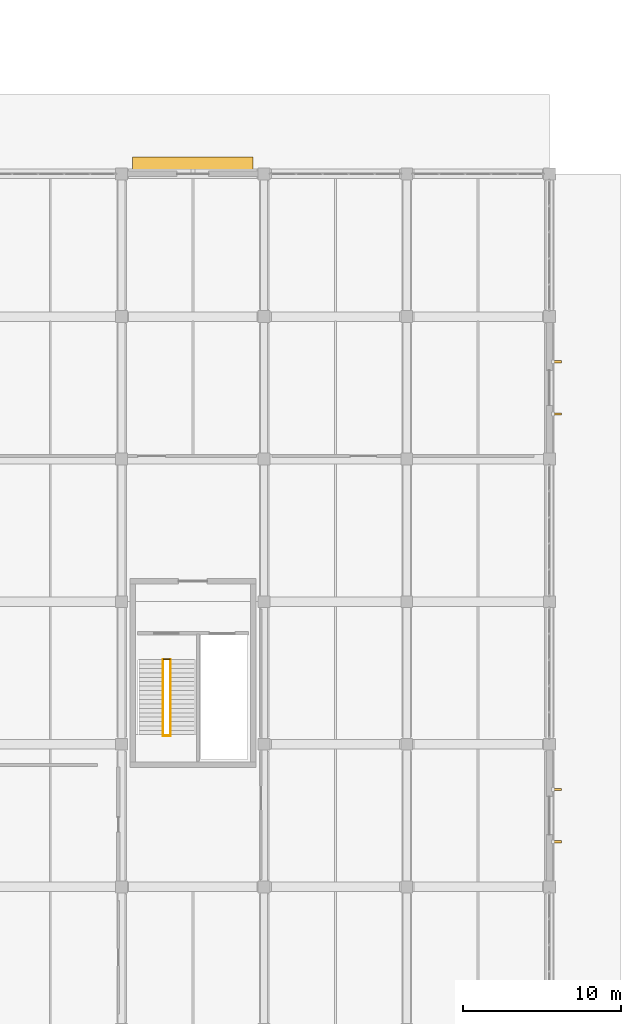
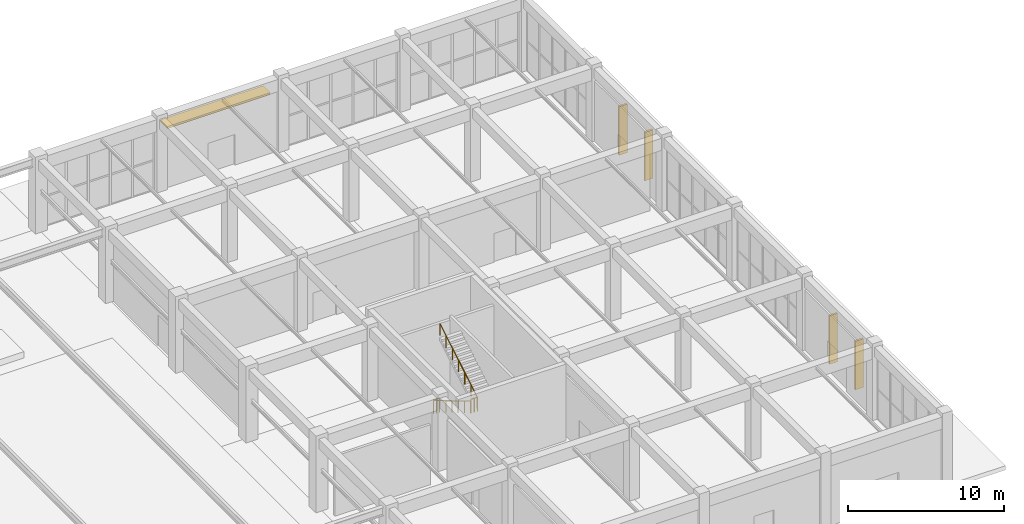
# One storey, part 86 of 91: 5 shading devices, 4 railings.
"""IFC4 building model written with IfcOpenShell, lengths in metres."""

from ifc_helpers import new_model, si_unit, direction, frame, origin, origin_2d, place, context, subcontext, project, spatial, rectangle, circle, extrude, material, layer, layer_set, type_object, element, save


model = new_model("IFC4")

# Units and contexts
model_context = context("Model", 3, precision=1e-05, world=origin(), true_north=direction((0.0, 1.0)))
body_context = subcontext(model_context, "Body", "Model", "MODEL_VIEW")
ifc_project = project(units=[si_unit("LENGTHUNIT", "METRE"), si_unit("AREAUNIT", "SQUARE_METRE"), si_unit("VOLUMEUNIT", "CUBIC_METRE"), si_unit("PLANEANGLEUNIT", "RADIAN"), si_unit("MASSUNIT", "GRAM", prefix="KILO")], contexts=[model_context])

# Site, building, storey
site_placement = place(None, origin())
site = spatial("IfcSite", under=ifc_project, at=site_placement, CompositionType="ELEMENT")
building_placement = place(site_placement, origin())
building = spatial("IfcBuilding", under=site, at=building_placement, Name="Dornveld Trade and Exhibition Forum", CompositionType="ELEMENT")
storey_placement = place(building_placement, origin())
storey = spatial("IfcBuildingStorey", under=building, at=storey_placement, Name="L00", CompositionType="ELEMENT", Elevation=0.0)

# Railings
ifc_material_1 = material(Name="Brushed stainless steel handrail", Category="steel")
railing_type_1 = type_object("IfcRailingType", Name="RL-HAND-920", PredefinedType="HANDRAIL", material=ifc_material_1)
railing_1_placement = place(storey_placement, frame((209.60498046875, 23.35009765625, 0.166748046875)))
element("IfcRailing", 1, at=railing_1_placement, inside=storey, type_object=railing_type_1, Name="ST-11-L00 flight 1 handrail", PredefinedType="HANDRAIL", context=body_context, shape_type="SweptSolid", body=[
    extrude(circle(Radius=0.02099609375, at=origin_2d()), frame((0.0, 0.0, 0.89892578125), z_axis=(0.0, -0.859299802514, 0.511472237174), x_axis=(1.0, 0.0, 0.0)), (0.0, 0.0, 1.0), 5.539306640625),
    extrude(circle(Radius=0.01806640625, at=origin_2d()), origin(), (0.0, 0.0, 1.0), 0.8779296875),
    extrude(circle(Radius=0.01806640625, at=origin_2d()), frame((0.0, -0.79345703125, 0.47216796875)), (0.0, 0.0, 1.0), 0.8779296875),
    extrude(circle(Radius=0.01806640625, at=origin_2d()), frame((0.0, -1.586669921875, 0.9443359375)), (0.0, 0.0, 1.0), 0.8779296875),
    extrude(circle(Radius=0.01806640625, at=origin_2d()), frame((0.0, -2.3798828125, 1.41650390625)), (0.0, 0.0, 1.0), 0.8779296875),
    extrude(circle(Radius=0.01806640625, at=origin_2d()), frame((0.0, -3.17333984375, 1.888916015625)), (0.0, 0.0, 1.0), 0.8779296875),
    extrude(circle(Radius=0.01806640625, at=origin_2d()), frame((0.0, -3.966796875, 2.361083984375)), (0.0, 0.0, 1.0), 0.8779296875),
    extrude(circle(Radius=0.01806640625, at=origin_2d()), frame((0.0, -4.760009765625, 2.833251953125)), (0.0, 0.0, 1.0), 0.8779296875),
])
railing_2_placement = place(storey_placement, frame((210.094970703125, 18.590087890625, 3.166748046875)))
element("IfcRailing", 2, at=railing_2_placement, inside=storey, type_object=railing_type_1, Name="ST-11-L00 flight 2 handrail", PredefinedType="HANDRAIL", context=body_context, shape_type="SweptSolid", body=[
    extrude(circle(Radius=0.02099609375, at=origin_2d()), frame((0.0, 0.0, 0.89892578125), z_axis=(0.0, 0.859299802514, 0.511472237174), x_axis=(-1.0, 0.0, 0.0)), (0.0, 0.0, 1.0), 5.539306640625),
    extrude(circle(Radius=0.01806640625, at=origin_2d()), origin(), (0.0, 0.0, 1.0), 0.8779296875),
    extrude(circle(Radius=0.01806640625, at=origin_2d()), frame((0.0, 0.79345703125, 0.47216796875)), (0.0, 0.0, 1.0), 0.8779296875),
    extrude(circle(Radius=0.01806640625, at=origin_2d()), frame((0.0, 1.586669921875, 0.9443359375)), (0.0, 0.0, 1.0), 0.8779296875),
    extrude(circle(Radius=0.01806640625, at=origin_2d()), frame((0.0, 2.3798828125, 1.41650390625)), (0.0, 0.0, 1.0), 0.8779296875),
    extrude(circle(Radius=0.01806640625, at=origin_2d()), frame((0.0, 3.17333984375, 1.888916015625)), (0.0, 0.0, 1.0), 0.8779296875),
    extrude(circle(Radius=0.01806640625, at=origin_2d()), frame((0.0, 3.966796875, 2.361083984375)), (0.0, 0.0, 1.0), 0.8779296875),
    extrude(circle(Radius=0.01806640625, at=origin_2d()), frame((0.0, 4.760009765625, 2.833251953125)), (0.0, 0.0, 1.0), 0.8779296875),
])
ifc_material_2 = material(Name="Painted steel S355J2 stair-well guard", Category="steel")
railing_type_2 = type_object("IfcRailingType", Name="RL-WELL-110", PredefinedType="GUARDRAIL", material=ifc_material_2)
railing_3_placement = place(storey_placement, frame((209.60498046875, 18.5400390625, 3.0)))
element("IfcRailing", 3, at=railing_3_placement, inside=storey, type_object=railing_type_2, Name="ST-11-L00 half-landing well guard", PredefinedType="GUARDRAIL", context=body_context, shape_type="SweptSolid", body=[
    extrude(circle(Radius=0.02392578125, at=origin_2d()), frame((0.0, 0.0, 1.076171875), z_axis=(1.0, 0.0, 0.0), x_axis=(0.0, 1.0, 0.0)), (0.0, 0.0, 1.0), 0.489990234375),
    extrude(circle(Radius=0.02001953125, at=origin_2d()), origin(), (0.0, 0.0, 1.0), 1.052001953125),
    extrude(circle(Radius=0.02001953125, at=origin_2d()), frame((0.2451171875, 0.0, 0.0)), (0.0, 0.0, 1.0), 1.052001953125),
    extrude(circle(Radius=0.02001953125, at=origin_2d()), frame((0.489990234375, 0.0, 0.0)), (0.0, 0.0, 1.0), 1.052001953125),
])
railing_4_placement = place(storey_placement, frame((209.635009765625, 23.3701171875, 0.0)))
element("IfcRailing", 4, at=railing_4_placement, inside=storey, type_object=railing_type_2, Name="CORE-11 L00 stair-slot floor guard", PredefinedType="GUARDRAIL", context=body_context, shape_type="SweptSolid", body=[
    extrude(circle(Radius=0.02392578125, at=origin_2d()), frame((0.0, 0.0, 1.076171875), z_axis=(1.0, 0.0, 0.0), x_axis=(0.0, 1.0, 0.0)), (0.0, 0.0, 1.0), 0.429931640625),
    extrude(circle(Radius=0.02001953125, at=origin_2d()), origin(), (0.0, 0.0, 1.0), 1.052001953125),
    extrude(circle(Radius=0.02001953125, at=origin_2d()), frame((0.21484375, 0.0, 0.0)), (0.0, 0.0, 1.0), 1.052001953125),
    extrude(circle(Radius=0.02001953125, at=origin_2d()), frame((0.429931640625, 0.0, 0.0)), (0.0, 0.0, 1.0), 1.052001953125),
])

# Shading devices
ifc_material_3 = material(Name="Precast concrete C50/60", Category="concrete")
ifc_layer_1 = layer(ifc_material_3, 0.139892578125)
ifc_layer_set_1 = layer_set([ifc_layer_1], Name="Precast concrete C50/60")
shading_device_type_1 = type_object("IfcShadingDeviceType", Name="SHD-FIN-600", PredefinedType="JALOUSIE", material=ifc_layer_set_1)
for number, where, z_axis, x_axis, name in (
    (5, (234.47998046875, 11.849853515625, 0.2998046875), (0.0, 0.0, 1.0), (0.0, 1.0, 0.0), "L00 vertical solar brise-soleil fin 1"),
    (6, (234.47998046875, 15.150146484375, 0.2998046875), (0.0, 0.0, 1.0), (0.0, 1.0, 0.0), "L00 vertical solar brise-soleil fin 2"),
    (7, (234.47998046875, 38.849853515625, 0.2998046875), (0.0, 0.0, 1.0), (0.0, 1.0, 0.0), "L00 vertical solar brise-soleil fin 3"),
    (8, (234.47998046875, 42.150146484375, 0.2998046875), (0.0, 0.0, 1.0), (0.0, 1.0, 0.0), "L00 vertical solar brise-soleil fin 4"),
):
    element("IfcShadingDevice", number, at=place(storey_placement, frame(where, z_axis=z_axis, x_axis=x_axis)), inside=storey, type_object=shading_device_type_1, Name=name, PredefinedType="JALOUSIE", context=body_context, shape_type="SweptSolid", body=[
        extrude(rectangle(XDim=0.139892578125, YDim=0.60009765625, at=origin_2d()), origin(), (0.0, 0.0, 1.0), 3.800048828125),
    ])
ifc_material_4 = material(Name="Precast concrete C50/60", Category="concrete")
ifc_layer_2 = layer(ifc_material_4, 0.159912109375)
ifc_layer_set_2 = layer_set([ifc_layer_2], Name="Precast concrete C50/60")
shading_device_type_2 = type_object("IfcShadingDeviceType", Name="SHD-HOOD-900", PredefinedType="AWNING", material=ifc_layer_set_2)
shading_device_placement = place(storey_placement, frame((211.5, 54.610107421875, 4.33984375), z_axis=(0.0, 0.0, 1.0), x_axis=(-1.0, 0.0, 0.0)))
element("IfcShadingDevice", 9, at=shading_device_placement, inside=storey, type_object=shading_device_type_2, Name="L00 northern horizontal sun-hood 5", PredefinedType="AWNING", context=body_context, shape_type="SweptSolid", body=[
    extrude(rectangle(XDim=7.60009765625, YDim=0.89990234375, at=origin_2d()), origin(), (0.0, 0.0, 1.0), 0.159912109375),
])

save(model, "model.ifc")
